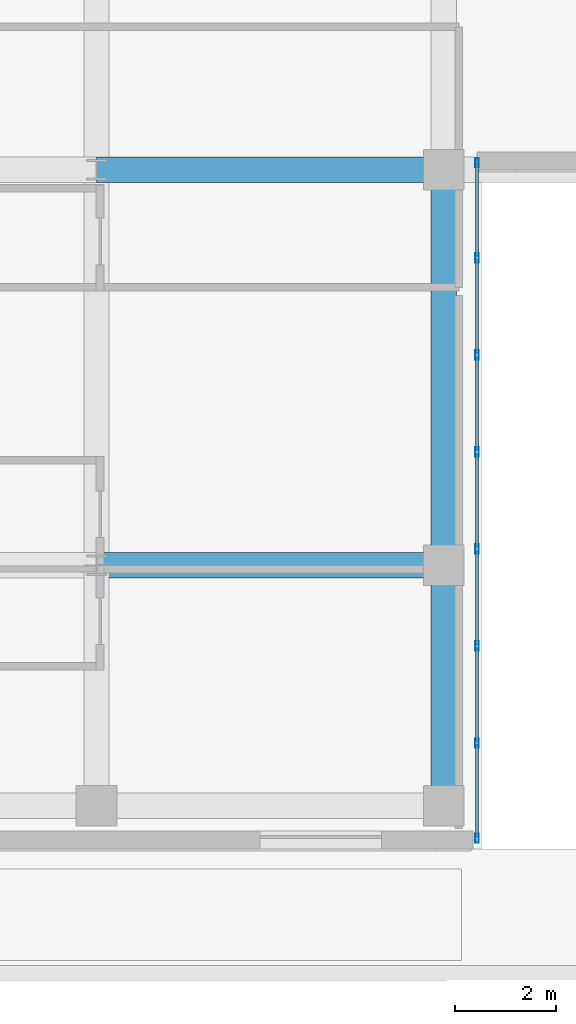
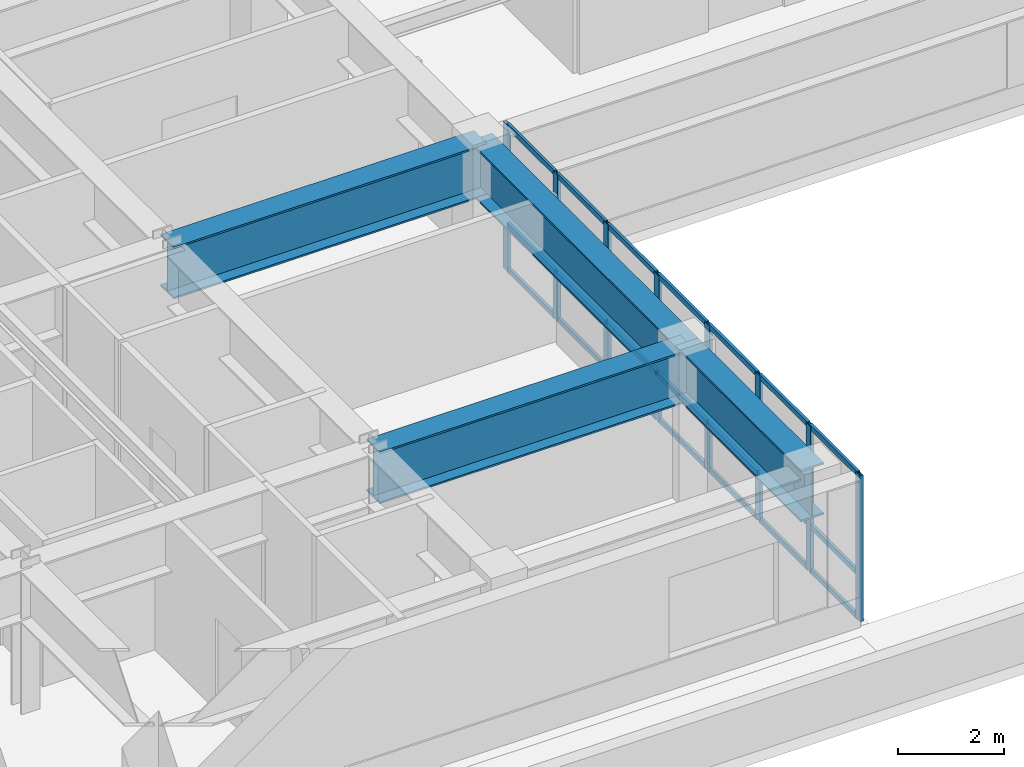
# One storey, part 3 of 20: 29 members, 4 beams, 1 element without a shape of its own.
"""IFC4 building model written with IfcOpenShell, lengths in metres."""

from ifc_helpers import new_model, si_unit, direction, frame, origin, origin_2d, place, context, subcontext, project, spatial, hollow_rectangle, i_section, extrude, source, transform, mapped, material, layer, layer_set, material_profile, profile_set, type_object, type_shapes, element, aggregate, save


model = new_model("IFC4")

# Units and contexts
model_context = context("Model", 3, precision=1e-05, world=origin(), true_north=direction((0.0, 1.0)))
body_context = subcontext(model_context, "Body", "Model", "MODEL_VIEW")
ifc_project = project(units=[si_unit("LENGTHUNIT", "METRE"), si_unit("AREAUNIT", "SQUARE_METRE"), si_unit("VOLUMEUNIT", "CUBIC_METRE"), si_unit("PLANEANGLEUNIT", "RADIAN"), si_unit("MASSUNIT", "GRAM", prefix="KILO")], contexts=[model_context])

# Site, building, storey
site_placement = place(None, origin())
site = spatial("IfcSite", under=ifc_project, at=site_placement, CompositionType="ELEMENT")
building_placement = place(site_placement, origin())
building = spatial("IfcBuilding", under=site, at=building_placement, Name="Tolvann Quenvar Hotel", CompositionType="ELEMENT")
storey_placement = place(building_placement, frame((0.0, 0.0, 147.050048828125)))
storey = spatial("IfcBuildingStorey", under=building, at=storey_placement, Name="L38", CompositionType="ELEMENT", Elevation=147.050048828125)

# Beams
ifc_material_1 = material(Name="Steel Grade 350", Category="steel")
ifc_material_profile_1 = material_profile(ifc_material_1, i_section(OverallWidth=0.5, OverallDepth=1.199951171875, WebThickness=0.01611328125, FlangeThickness=0.0400390625, at=origin_2d()), Name="1200WB455")
ifc_profile_set_1 = profile_set([ifc_material_profile_1], Name="Steel Grade 350")
beam_type = type_object("IfcBeamType", Name="BM_TG_1200WB455", PredefinedType="USERDEFINED", material=ifc_profile_set_1)
shared_shape_1 = source(origin(), body_context, "Body", "SweptSolid", [
    extrude(i_section(OverallWidth=0.5, OverallDepth=1.199951171875, WebThickness=0.01611328125, FlangeThickness=0.0400390625, at=origin_2d()), origin(), (0.0, 0.0, 1.0), 7.800048828125),
])
beam_1_placement = place(storey_placement, frame((22.050048828125, 8.199951171875, 2.77001953125), z_axis=(0.0, 1.0, 0.0), x_axis=(-1.0, 0.0, 0.0)))
element("IfcBeam", 1, at=beam_1_placement, inside=storey, type_object=beam_type, Name="BM-L38-NS-E3-E4", ObjectType="TRANSFER GIRDER", PredefinedType="USERDEFINED", context=body_context, shape_type="MappedRepresentation", body=[
    mapped(shared_shape_1, transform((0.0, 0.0, 0.0), x_axis=(1.0, 0.0, 0.0), y_axis=(0.0, 1.0, 0.0), z_axis=(0.0, 0.0, 1.0), scale=1.0)),
])
shared_shape_2 = source(origin(), body_context, "Body", "SweptSolid", [
    extrude(i_section(OverallWidth=0.5, OverallDepth=1.199951171875, WebThickness=0.01611328125, FlangeThickness=0.0400390625, at=origin_2d()), origin(), (0.0, 0.0, 1.0), 6.85009765625),
])
for number, where, z_axis, x_axis, name in (
    (2, (15.199951171875, 8.199951171875, 2.77001953125), (1.0, 0.0, 0.0), (0.0, 1.0, 0.0), "BM-L38-EW-3-D3-E3"),
    (3, (15.199951171875, 16.0, 2.77001953125), (1.0, 0.0, 0.0), (0.0, 1.0, 0.0), "BM-L38-EW-4-D4-E4"),
):
    element("IfcBeam", number, at=place(storey_placement, frame(where, z_axis=z_axis, x_axis=x_axis)), inside=storey, type_object=beam_type, Name=name, ObjectType="TRANSFER GIRDER", PredefinedType="USERDEFINED", context=body_context, shape_type="MappedRepresentation", body=[
        mapped(shared_shape_2, transform((0.0, 0.0, 0.0), x_axis=(1.0, 0.0, 0.0), y_axis=(0.0, 1.0, 0.0), z_axis=(0.0, 0.0, 1.0), scale=1.0)),
    ])
shared_shape_3 = source(origin(), body_context, "Body", "SweptSolid", [
    extrude(i_section(OverallWidth=0.5, OverallDepth=1.199951171875, WebThickness=0.01611328125, FlangeThickness=0.0400390625, at=origin_2d()), origin(), (0.0, 0.0, 1.0), 4.75),
])
type_shapes(beam_type, [shared_shape_1, shared_shape_2, shared_shape_3])
beam_2_placement = place(storey_placement, frame((22.050048828125, 3.449951171875, 2.77001953125), z_axis=(0.0, 1.0, 0.0), x_axis=(-1.0, 0.0, 0.0)))
element("IfcBeam", 4, at=beam_2_placement, inside=storey, type_object=beam_type, Name="BM-L38-NS-E2-E3", ObjectType="TRANSFER GIRDER", PredefinedType="USERDEFINED", context=body_context, shape_type="MappedRepresentation", body=[
    mapped(shared_shape_3, transform((0.0, 0.0, 0.0), x_axis=(1.0, 0.0, 0.0), y_axis=(0.0, 1.0, 0.0), z_axis=(0.0, 0.0, 1.0), scale=1.0)),
])

# Curtain wall, members
ifc_material_2 = material(Name="Thermally broken anodised architectural aluminium 6063-T6 and laminated low-E glass", Category="aluminium")
ifc_layer = layer(ifc_material_2, 0.179931640625)
ifc_layer_set = layer_set([ifc_layer], Name="Thermally broken anodised architectural aluminium 6063-T6 and laminated low-E glass")
curtain_wall_type = type_object("IfcCurtainWallType", Name="CW_SYS_SLOT_03", PredefinedType="USERDEFINED", material=ifc_layer_set)
curtain_wall_placement = place(storey_placement, origin())
curtain_wall = element("IfcCurtainWall", 5, at=curtain_wall_placement, inside=storey, type_object=curtain_wall_type, Name="Curtain Wall CW-SLOT-03 (CWR-L38-E05)", ObjectType="UNITISED CURTAIN WALL", PredefinedType="USERDEFINED")
ifc_material_3 = material(Name="Anodised architectural aluminium 6063-T6 framing", Category="aluminium")
ifc_material_profile_2 = material_profile(ifc_material_3, hollow_rectangle(XDim=0.070068359375, YDim=0.179931640625, WallThickness=0.00390625, at=origin_2d()), Name="180x70x4RHS")
ifc_profile_set_2 = profile_set([ifc_material_profile_2], Name="Anodised architectural aluminium 6063-T6 framing")
member_type_1 = type_object("IfcMemberType", Name="CW_MULL_180x70", PredefinedType="MULLION", material=ifc_profile_set_2)
shared_shape_4 = source(origin(), body_context, "Body", "SweptSolid", [
    extrude(hollow_rectangle(XDim=0.070068359375, YDim=0.179931640625, WallThickness=0.00390625, at=origin_2d()), origin(), (0.0, 0.0, 1.0), 3.369873046875),
])
type_shapes(member_type_1, [shared_shape_4])
member_1_placement = place(storey_placement, frame((22.7099609375, 2.81005859375, 0.0), z_axis=(0.0, 0.0, 1.0), x_axis=(-1.0, 0.0, 0.0)))
member_1 = element("IfcMember", 6, at=member_1_placement, type_object=member_type_1, Name="CW-SLOT-03 mullion 1", PredefinedType="MULLION", context=body_context, shape_type="MappedRepresentation", body=[
    mapped(shared_shape_4, transform((0.0, 0.0, 0.0), x_axis=(1.0, 0.0, 0.0), y_axis=(0.0, 1.0, 0.0), z_axis=(0.0, 0.0, 1.0), scale=1.0)),
])
member_2_placement = place(storey_placement, frame((22.7099609375, 4.689208984375, 0.0), z_axis=(0.0, 0.0, 1.0), x_axis=(-1.0, 0.0, 0.0)))
member_2 = element("IfcMember", 7, at=member_2_placement, type_object=member_type_1, Name="CW-SLOT-03 mullion 2", PredefinedType="MULLION", context=body_context, shape_type="MappedRepresentation", body=[
    mapped(shared_shape_4, transform((0.0, 0.0, 0.0), x_axis=(1.0, 0.0, 0.0), y_axis=(0.0, 1.0, 0.0), z_axis=(0.0, 0.0, 1.0), scale=1.0)),
])
member_3_placement = place(storey_placement, frame((22.7099609375, 6.603515625, 0.0), z_axis=(0.0, 0.0, 1.0), x_axis=(-1.0, 0.0, 0.0)))
member_3 = element("IfcMember", 8, at=member_3_placement, type_object=member_type_1, Name="CW-SLOT-03 mullion 3", PredefinedType="MULLION", context=body_context, shape_type="MappedRepresentation", body=[
    mapped(shared_shape_4, transform((0.0, 0.0, 0.0), x_axis=(1.0, 0.0, 0.0), y_axis=(0.0, 1.0, 0.0), z_axis=(0.0, 0.0, 1.0), scale=1.0)),
])
member_4_placement = place(storey_placement, frame((22.7099609375, 8.517822265625, 0.0), z_axis=(0.0, 0.0, 1.0), x_axis=(-1.0, 0.0, 0.0)))
member_4 = element("IfcMember", 9, at=member_4_placement, type_object=member_type_1, Name="CW-SLOT-03 mullion 4", PredefinedType="MULLION", context=body_context, shape_type="MappedRepresentation", body=[
    mapped(shared_shape_4, transform((0.0, 0.0, 0.0), x_axis=(1.0, 0.0, 0.0), y_axis=(0.0, 1.0, 0.0), z_axis=(0.0, 0.0, 1.0), scale=1.0)),
])
member_5_placement = place(storey_placement, frame((22.7099609375, 10.43212890625, 0.0), z_axis=(0.0, 0.0, 1.0), x_axis=(-1.0, 0.0, 0.0)))
member_5 = element("IfcMember", 10, at=member_5_placement, type_object=member_type_1, Name="CW-SLOT-03 mullion 5", PredefinedType="MULLION", context=body_context, shape_type="MappedRepresentation", body=[
    mapped(shared_shape_4, transform((0.0, 0.0, 0.0), x_axis=(1.0, 0.0, 0.0), y_axis=(0.0, 1.0, 0.0), z_axis=(0.0, 0.0, 1.0), scale=1.0)),
])
member_6_placement = place(storey_placement, frame((22.7099609375, 12.346435546875, 0.0), z_axis=(0.0, 0.0, 1.0), x_axis=(-1.0, 0.0, 0.0)))
member_6 = element("IfcMember", 11, at=member_6_placement, type_object=member_type_1, Name="CW-SLOT-03 mullion 6", PredefinedType="MULLION", context=body_context, shape_type="MappedRepresentation", body=[
    mapped(shared_shape_4, transform((0.0, 0.0, 0.0), x_axis=(1.0, 0.0, 0.0), y_axis=(0.0, 1.0, 0.0), z_axis=(0.0, 0.0, 1.0), scale=1.0)),
])
member_7_placement = place(storey_placement, frame((22.7099609375, 14.2607421875, 0.0), z_axis=(0.0, 0.0, 1.0), x_axis=(-1.0, 0.0, 0.0)))
member_7 = element("IfcMember", 12, at=member_7_placement, type_object=member_type_1, Name="CW-SLOT-03 mullion 7", PredefinedType="MULLION", context=body_context, shape_type="MappedRepresentation", body=[
    mapped(shared_shape_4, transform((0.0, 0.0, 0.0), x_axis=(1.0, 0.0, 0.0), y_axis=(0.0, 1.0, 0.0), z_axis=(0.0, 0.0, 1.0), scale=1.0)),
])
member_8_placement = place(storey_placement, frame((22.7099609375, 16.139892578125, 0.0), z_axis=(0.0, 0.0, 1.0), x_axis=(-1.0, 0.0, 0.0)))
member_8 = element("IfcMember", 13, at=member_8_placement, type_object=member_type_1, Name="CW-SLOT-03 mullion 8", PredefinedType="MULLION", context=body_context, shape_type="MappedRepresentation", body=[
    mapped(shared_shape_4, transform((0.0, 0.0, 0.0), x_axis=(1.0, 0.0, 0.0), y_axis=(0.0, 1.0, 0.0), z_axis=(0.0, 0.0, 1.0), scale=1.0)),
])
ifc_material_profile_3 = material_profile(ifc_material_3, hollow_rectangle(XDim=0.06005859375, YDim=0.1201171875, WallThickness=0.00341796875, at=origin_2d()), Name="120x60x3.5RHS")
ifc_profile_set_3 = profile_set([ifc_material_profile_3], Name="Anodised architectural aluminium 6063-T6 framing")
member_type_2 = type_object("IfcMemberType", Name="CW_TRAN_120x60", PredefinedType="USERDEFINED", material=ifc_profile_set_3)
shared_shape_5 = source(origin(), body_context, "Body", "SweptSolid", [
    extrude(hollow_rectangle(XDim=0.06005859375, YDim=0.1201171875, WallThickness=0.00341796875, at=origin_2d()), origin(), (0.0, 0.0, 1.0), 1.809326171875),
])
member_9_placement = place(storey_placement, frame((22.7099609375, 2.844970703125, 0.030029296875), z_axis=(0.0, 1.0, 0.0), x_axis=(-1.0, 0.0, 0.0)))
member_9 = element("IfcMember", 14, at=member_9_placement, type_object=member_type_2, Name="CW-SLOT-03 transom 1.1", ObjectType="TRANSOM", PredefinedType="USERDEFINED", context=body_context, shape_type="MappedRepresentation", body=[
    mapped(shared_shape_5, transform((0.0, 0.0, 0.0), x_axis=(1.0, 0.0, 0.0), y_axis=(0.0, 1.0, 0.0), z_axis=(0.0, 0.0, 1.0), scale=1.0)),
])
member_10_placement = place(storey_placement, frame((22.7099609375, 2.844970703125, 1.050048828125), z_axis=(0.0, 1.0, 0.0), x_axis=(-1.0, 0.0, 0.0)))
member_10 = element("IfcMember", 15, at=member_10_placement, type_object=member_type_2, Name="CW-SLOT-03 transom 1.2", ObjectType="TRANSOM", PredefinedType="USERDEFINED", context=body_context, shape_type="MappedRepresentation", body=[
    mapped(shared_shape_5, transform((0.0, 0.0, 0.0), x_axis=(1.0, 0.0, 0.0), y_axis=(0.0, 1.0, 0.0), z_axis=(0.0, 0.0, 1.0), scale=1.0)),
])
member_11_placement = place(storey_placement, frame((22.7099609375, 2.844970703125, 3.33984375), z_axis=(0.0, 1.0, 0.0), x_axis=(-1.0, 0.0, 0.0)))
member_11 = element("IfcMember", 16, at=member_11_placement, type_object=member_type_2, Name="CW-SLOT-03 transom 1.3", ObjectType="TRANSOM", PredefinedType="USERDEFINED", context=body_context, shape_type="MappedRepresentation", body=[
    mapped(shared_shape_5, transform((0.0, 0.0, 0.0), x_axis=(1.0, 0.0, 0.0), y_axis=(0.0, 1.0, 0.0), z_axis=(0.0, 0.0, 1.0), scale=1.0)),
])
member_12_placement = place(storey_placement, frame((22.7099609375, 14.295654296875, 0.030029296875), z_axis=(0.0, 1.0, 0.0), x_axis=(-1.0, 0.0, 0.0)))
member_12 = element("IfcMember", 17, at=member_12_placement, type_object=member_type_2, Name="CW-SLOT-03 transom 7.1", ObjectType="TRANSOM", PredefinedType="USERDEFINED", context=body_context, shape_type="MappedRepresentation", body=[
    mapped(shared_shape_5, transform((0.0, 0.0, 0.0), x_axis=(1.0, 0.0, 0.0), y_axis=(0.0, 1.0, 0.0), z_axis=(0.0, 0.0, 1.0), scale=1.0)),
])
member_13_placement = place(storey_placement, frame((22.7099609375, 14.295654296875, 1.050048828125), z_axis=(0.0, 1.0, 0.0), x_axis=(-1.0, 0.0, 0.0)))
member_13 = element("IfcMember", 18, at=member_13_placement, type_object=member_type_2, Name="CW-SLOT-03 transom 7.2", ObjectType="TRANSOM", PredefinedType="USERDEFINED", context=body_context, shape_type="MappedRepresentation", body=[
    mapped(shared_shape_5, transform((0.0, 0.0, 0.0), x_axis=(1.0, 0.0, 0.0), y_axis=(0.0, 1.0, 0.0), z_axis=(0.0, 0.0, 1.0), scale=1.0)),
])
member_14_placement = place(storey_placement, frame((22.7099609375, 14.295654296875, 3.33984375), z_axis=(0.0, 1.0, 0.0), x_axis=(-1.0, 0.0, 0.0)))
member_14 = element("IfcMember", 19, at=member_14_placement, type_object=member_type_2, Name="CW-SLOT-03 transom 7.3", ObjectType="TRANSOM", PredefinedType="USERDEFINED", context=body_context, shape_type="MappedRepresentation", body=[
    mapped(shared_shape_5, transform((0.0, 0.0, 0.0), x_axis=(1.0, 0.0, 0.0), y_axis=(0.0, 1.0, 0.0), z_axis=(0.0, 0.0, 1.0), scale=1.0)),
])
shared_shape_6 = source(origin(), body_context, "Body", "SweptSolid", [
    extrude(hollow_rectangle(XDim=0.06005859375, YDim=0.1201171875, WallThickness=0.00341796875, at=origin_2d()), origin(), (0.0, 0.0, 1.0), 1.84423828125),
])
member_15_placement = place(storey_placement, frame((22.7099609375, 4.724365234375, 0.030029296875), z_axis=(0.0, 1.0, 0.0), x_axis=(-1.0, 0.0, 0.0)))
member_15 = element("IfcMember", 20, at=member_15_placement, type_object=member_type_2, Name="CW-SLOT-03 transom 2.1", ObjectType="TRANSOM", PredefinedType="USERDEFINED", context=body_context, shape_type="MappedRepresentation", body=[
    mapped(shared_shape_6, transform((0.0, 0.0, 0.0), x_axis=(1.0, 0.0, 0.0), y_axis=(0.0, 1.0, 0.0), z_axis=(0.0, 0.0, 1.0), scale=1.0)),
])
member_16_placement = place(storey_placement, frame((22.7099609375, 4.724365234375, 1.050048828125), z_axis=(0.0, 1.0, 0.0), x_axis=(-1.0, 0.0, 0.0)))
member_16 = element("IfcMember", 21, at=member_16_placement, type_object=member_type_2, Name="CW-SLOT-03 transom 2.2", ObjectType="TRANSOM", PredefinedType="USERDEFINED", context=body_context, shape_type="MappedRepresentation", body=[
    mapped(shared_shape_6, transform((0.0, 0.0, 0.0), x_axis=(1.0, 0.0, 0.0), y_axis=(0.0, 1.0, 0.0), z_axis=(0.0, 0.0, 1.0), scale=1.0)),
])
member_17_placement = place(storey_placement, frame((22.7099609375, 4.724365234375, 3.33984375), z_axis=(0.0, 1.0, 0.0), x_axis=(-1.0, 0.0, 0.0)))
member_17 = element("IfcMember", 22, at=member_17_placement, type_object=member_type_2, Name="CW-SLOT-03 transom 2.3", ObjectType="TRANSOM", PredefinedType="USERDEFINED", context=body_context, shape_type="MappedRepresentation", body=[
    mapped(shared_shape_6, transform((0.0, 0.0, 0.0), x_axis=(1.0, 0.0, 0.0), y_axis=(0.0, 1.0, 0.0), z_axis=(0.0, 0.0, 1.0), scale=1.0)),
])
member_18_placement = place(storey_placement, frame((22.7099609375, 6.638671875, 0.030029296875), z_axis=(0.0, 1.0, 0.0), x_axis=(-1.0, 0.0, 0.0)))
member_18 = element("IfcMember", 23, at=member_18_placement, type_object=member_type_2, Name="CW-SLOT-03 transom 3.1", ObjectType="TRANSOM", PredefinedType="USERDEFINED", context=body_context, shape_type="MappedRepresentation", body=[
    mapped(shared_shape_6, transform((0.0, 0.0, 0.0), x_axis=(1.0, 0.0, 0.0), y_axis=(0.0, 1.0, 0.0), z_axis=(0.0, 0.0, 1.0), scale=1.0)),
])
member_19_placement = place(storey_placement, frame((22.7099609375, 6.638671875, 1.050048828125), z_axis=(0.0, 1.0, 0.0), x_axis=(-1.0, 0.0, 0.0)))
member_19 = element("IfcMember", 24, at=member_19_placement, type_object=member_type_2, Name="CW-SLOT-03 transom 3.2", ObjectType="TRANSOM", PredefinedType="USERDEFINED", context=body_context, shape_type="MappedRepresentation", body=[
    mapped(shared_shape_6, transform((0.0, 0.0, 0.0), x_axis=(1.0, 0.0, 0.0), y_axis=(0.0, 1.0, 0.0), z_axis=(0.0, 0.0, 1.0), scale=1.0)),
])
member_20_placement = place(storey_placement, frame((22.7099609375, 6.638671875, 3.33984375), z_axis=(0.0, 1.0, 0.0), x_axis=(-1.0, 0.0, 0.0)))
member_20 = element("IfcMember", 25, at=member_20_placement, type_object=member_type_2, Name="CW-SLOT-03 transom 3.3", ObjectType="TRANSOM", PredefinedType="USERDEFINED", context=body_context, shape_type="MappedRepresentation", body=[
    mapped(shared_shape_6, transform((0.0, 0.0, 0.0), x_axis=(1.0, 0.0, 0.0), y_axis=(0.0, 1.0, 0.0), z_axis=(0.0, 0.0, 1.0), scale=1.0)),
])
member_21_placement = place(storey_placement, frame((22.7099609375, 8.552978515625, 0.030029296875), z_axis=(0.0, 1.0, 0.0), x_axis=(-1.0, 0.0, 0.0)))
member_21 = element("IfcMember", 26, at=member_21_placement, type_object=member_type_2, Name="CW-SLOT-03 transom 4.1", ObjectType="TRANSOM", PredefinedType="USERDEFINED", context=body_context, shape_type="MappedRepresentation", body=[
    mapped(shared_shape_6, transform((0.0, 0.0, 0.0), x_axis=(1.0, 0.0, 0.0), y_axis=(0.0, 1.0, 0.0), z_axis=(0.0, 0.0, 1.0), scale=1.0)),
])
member_22_placement = place(storey_placement, frame((22.7099609375, 8.552978515625, 1.050048828125), z_axis=(0.0, 1.0, 0.0), x_axis=(-1.0, 0.0, 0.0)))
member_22 = element("IfcMember", 27, at=member_22_placement, type_object=member_type_2, Name="CW-SLOT-03 transom 4.2", ObjectType="TRANSOM", PredefinedType="USERDEFINED", context=body_context, shape_type="MappedRepresentation", body=[
    mapped(shared_shape_6, transform((0.0, 0.0, 0.0), x_axis=(1.0, 0.0, 0.0), y_axis=(0.0, 1.0, 0.0), z_axis=(0.0, 0.0, 1.0), scale=1.0)),
])
member_23_placement = place(storey_placement, frame((22.7099609375, 8.552978515625, 3.33984375), z_axis=(0.0, 1.0, 0.0), x_axis=(-1.0, 0.0, 0.0)))
member_23 = element("IfcMember", 28, at=member_23_placement, type_object=member_type_2, Name="CW-SLOT-03 transom 4.3", ObjectType="TRANSOM", PredefinedType="USERDEFINED", context=body_context, shape_type="MappedRepresentation", body=[
    mapped(shared_shape_6, transform((0.0, 0.0, 0.0), x_axis=(1.0, 0.0, 0.0), y_axis=(0.0, 1.0, 0.0), z_axis=(0.0, 0.0, 1.0), scale=1.0)),
])
shared_shape_7 = source(origin(), body_context, "Body", "SweptSolid", [
    extrude(hollow_rectangle(XDim=0.06005859375, YDim=0.1201171875, WallThickness=0.00341796875, at=origin_2d()), origin(), (0.0, 0.0, 1.0), 1.844482421875),
])
type_shapes(member_type_2, [shared_shape_5, shared_shape_6, shared_shape_7])
member_24_placement = place(storey_placement, frame((22.7099609375, 10.467041015625, 0.030029296875), z_axis=(0.0, 1.0, 0.0), x_axis=(-1.0, 0.0, 0.0)))
member_24 = element("IfcMember", 29, at=member_24_placement, type_object=member_type_2, Name="CW-SLOT-03 transom 5.1", ObjectType="TRANSOM", PredefinedType="USERDEFINED", context=body_context, shape_type="MappedRepresentation", body=[
    mapped(shared_shape_7, transform((0.0, 0.0, 0.0), x_axis=(1.0, 0.0, 0.0), y_axis=(0.0, 1.0, 0.0), z_axis=(0.0, 0.0, 1.0), scale=1.0)),
])
member_25_placement = place(storey_placement, frame((22.7099609375, 10.467041015625, 1.050048828125), z_axis=(0.0, 1.0, 0.0), x_axis=(-1.0, 0.0, 0.0)))
member_25 = element("IfcMember", 30, at=member_25_placement, type_object=member_type_2, Name="CW-SLOT-03 transom 5.2", ObjectType="TRANSOM", PredefinedType="USERDEFINED", context=body_context, shape_type="MappedRepresentation", body=[
    mapped(shared_shape_7, transform((0.0, 0.0, 0.0), x_axis=(1.0, 0.0, 0.0), y_axis=(0.0, 1.0, 0.0), z_axis=(0.0, 0.0, 1.0), scale=1.0)),
])
member_26_placement = place(storey_placement, frame((22.7099609375, 10.467041015625, 3.33984375), z_axis=(0.0, 1.0, 0.0), x_axis=(-1.0, 0.0, 0.0)))
member_26 = element("IfcMember", 31, at=member_26_placement, type_object=member_type_2, Name="CW-SLOT-03 transom 5.3", ObjectType="TRANSOM", PredefinedType="USERDEFINED", context=body_context, shape_type="MappedRepresentation", body=[
    mapped(shared_shape_7, transform((0.0, 0.0, 0.0), x_axis=(1.0, 0.0, 0.0), y_axis=(0.0, 1.0, 0.0), z_axis=(0.0, 0.0, 1.0), scale=1.0)),
])
member_27_placement = place(storey_placement, frame((22.7099609375, 12.38134765625, 0.030029296875), z_axis=(0.0, 1.0, 0.0), x_axis=(-1.0, 0.0, 0.0)))
member_27 = element("IfcMember", 32, at=member_27_placement, type_object=member_type_2, Name="CW-SLOT-03 transom 6.1", ObjectType="TRANSOM", PredefinedType="USERDEFINED", context=body_context, shape_type="MappedRepresentation", body=[
    mapped(shared_shape_7, transform((0.0, 0.0, 0.0), x_axis=(1.0, 0.0, 0.0), y_axis=(0.0, 1.0, 0.0), z_axis=(0.0, 0.0, 1.0), scale=1.0)),
])
member_28_placement = place(storey_placement, frame((22.7099609375, 12.38134765625, 1.050048828125), z_axis=(0.0, 1.0, 0.0), x_axis=(-1.0, 0.0, 0.0)))
member_28 = element("IfcMember", 33, at=member_28_placement, type_object=member_type_2, Name="CW-SLOT-03 transom 6.2", ObjectType="TRANSOM", PredefinedType="USERDEFINED", context=body_context, shape_type="MappedRepresentation", body=[
    mapped(shared_shape_7, transform((0.0, 0.0, 0.0), x_axis=(1.0, 0.0, 0.0), y_axis=(0.0, 1.0, 0.0), z_axis=(0.0, 0.0, 1.0), scale=1.0)),
])
member_29_placement = place(storey_placement, frame((22.7099609375, 12.38134765625, 3.33984375), z_axis=(0.0, 1.0, 0.0), x_axis=(-1.0, 0.0, 0.0)))
member_29 = element("IfcMember", 34, at=member_29_placement, type_object=member_type_2, Name="CW-SLOT-03 transom 6.3", ObjectType="TRANSOM", PredefinedType="USERDEFINED", context=body_context, shape_type="MappedRepresentation", body=[
    mapped(shared_shape_7, transform((0.0, 0.0, 0.0), x_axis=(1.0, 0.0, 0.0), y_axis=(0.0, 1.0, 0.0), z_axis=(0.0, 0.0, 1.0), scale=1.0)),
])
aggregate(curtain_wall, [member_1, member_2, member_3, member_4, member_5, member_6, member_7, member_8, member_9, member_10, member_11, member_15, member_16, member_17, member_18, member_19, member_20, member_21, member_22, member_23, member_24, member_25, member_26, member_27, member_28, member_29, member_12, member_13, member_14])

save(model, "model.ifc")
